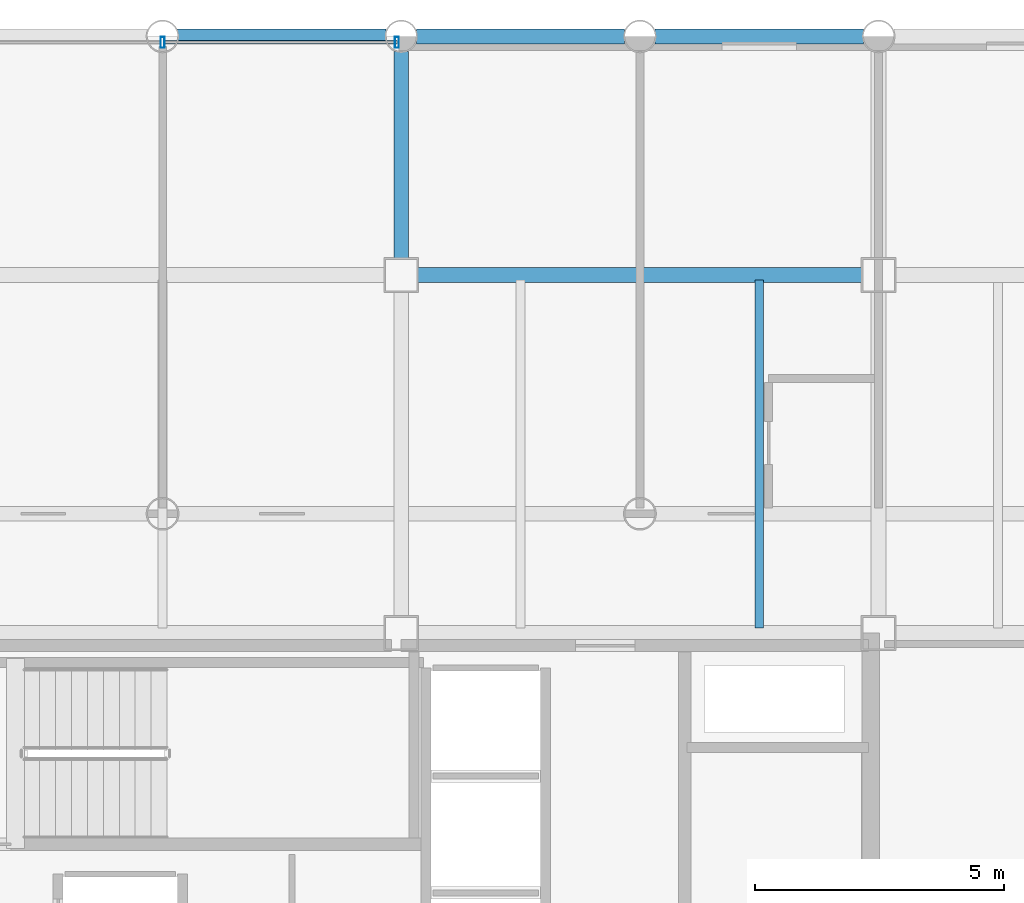
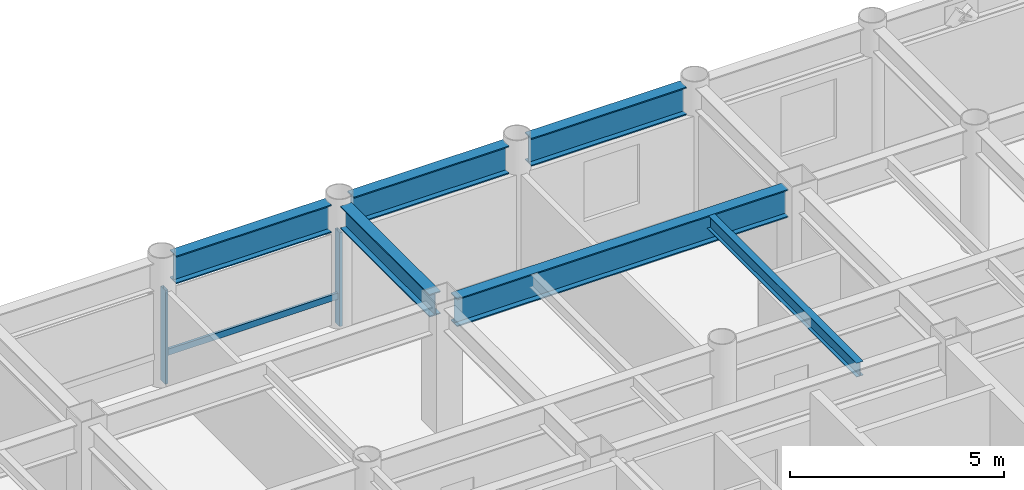
# One storey, part 12 of 20: 6 beams, 3 members, 1 element without a shape of its own.
"""IFC4 building model written with IfcOpenShell, lengths in metres."""

from ifc_helpers import new_model, si_unit, direction, frame, origin, origin_2d, place, context, subcontext, project, spatial, hollow_rectangle, i_section, extrude, material, layer, layer_set, material_profile, profile_set, type_object, element, aggregate, save


model = new_model("IFC4")

# Units and contexts
model_context = context("Model", 3, precision=1e-05, world=origin(), true_north=direction((0.0, 1.0)))
body_context = subcontext(model_context, "Body", "Model", "MODEL_VIEW")
ifc_project = project(units=[si_unit("LENGTHUNIT", "METRE"), si_unit("AREAUNIT", "SQUARE_METRE"), si_unit("VOLUMEUNIT", "CUBIC_METRE"), si_unit("PLANEANGLEUNIT", "RADIAN"), si_unit("MASSUNIT", "GRAM", prefix="KILO")], contexts=[model_context])

# Site, building, storey
site_placement = place(None, origin())
site = spatial("IfcSite", under=ifc_project, at=site_placement, CompositionType="ELEMENT")
building_placement = place(site_placement, origin())
building = spatial("IfcBuilding", under=site, at=building_placement, Name="Kallvorn Hotel Tower", CompositionType="ELEMENT")
storey_placement = place(building_placement, frame((0.0, 0.0, 172.89990234375)))
storey = spatial("IfcBuildingStorey", under=building, at=storey_placement, Name="L43", CompositionType="ELEMENT", Elevation=172.89990234375)

# Beams
ifc_material_1 = material(Name="Structural steel S355JR", Category="steel")
ifc_material_profile_1 = material_profile(ifc_material_1, i_section(OverallWidth=0.300048828125, OverallDepth=0.64990234375, WebThickness=0.01611328125, FlangeThickness=0.031005859375, at=origin_2d()), Name="HE 650 B")
ifc_profile_set_1 = profile_set([ifc_material_profile_1], Name="Structural steel S355JR")
beam_type_1 = type_object("IfcBeamType", Name="BM_HE650B", PredefinedType="BEAM", material=ifc_profile_set_1)
beam_1_placement = place(storey_placement, frame((4.800048828125, 14.72509765625, 3.195068359375), z_axis=(0.0, 1.0, 0.0), x_axis=(-1.0, 0.0, 0.0)))
element("IfcBeam", 1, at=beam_1_placement, inside=storey, type_object=beam_type_1, Name="L44 Primary Y-Girder 118", PredefinedType="BEAM", context=body_context, shape_type="SweptSolid", body=[
    extrude(i_section(OverallWidth=0.300048828125, OverallDepth=0.64990234375, WebThickness=0.01611328125, FlangeThickness=0.031005859375, at=origin_2d()), origin(), (0.0, 0.0, 1.0), 4.169921875),
])
ifc_material_2 = material(Name="Structural steel S355JR", Category="steel")
ifc_material_profile_2 = material_profile(ifc_material_2, i_section(OverallWidth=0.300048828125, OverallDepth=0.800048828125, WebThickness=0.017578125, FlangeThickness=0.032958984375, at=origin_2d()), Name="HE 800 B")
ifc_profile_set_2 = profile_set([ifc_material_profile_2], Name="Structural steel S355JR")
beam_type_2 = type_object("IfcBeamType", Name="BM_HE800B", PredefinedType="BEAM", material=ifc_profile_set_2)
beam_2_placement = place(storey_placement, frame((5.125, 14.39990234375, 3.1201171875), z_axis=(1.0, 0.0, 0.0), x_axis=(0.0, 1.0, 0.0)))
element("IfcBeam", 2, at=beam_2_placement, inside=storey, type_object=beam_type_2, Name="L44 Primary X-Girder 57", PredefinedType="BEAM", context=body_context, shape_type="SweptSolid", body=[
    extrude(i_section(OverallWidth=0.300048828125, OverallDepth=0.800048828125, WebThickness=0.017578125, FlangeThickness=0.032958984375, at=origin_2d()), origin(), (0.0, 0.0, 1.0), 8.949951171875),
])
beam_3_placement = place(storey_placement, frame((0.304931640625, 19.199951171875, 3.1201171875), z_axis=(1.0, 0.0, 0.0), x_axis=(0.0, 1.0, 0.0)))
element("IfcBeam", 3, at=beam_3_placement, inside=storey, type_object=beam_type_2, Name="L44 Primary X-Girder 67", PredefinedType="BEAM", context=body_context, shape_type="SweptSolid", body=[
    extrude(i_section(OverallWidth=0.300048828125, OverallDepth=0.800048828125, WebThickness=0.017578125, FlangeThickness=0.032958984375, at=origin_2d()), origin(), (0.0, 0.0, 1.0), 4.190185546875),
])
for number, where, z_axis, x_axis, name in (
    (4, (5.10498046875, 19.199951171875, 3.1201171875), (1.0, 0.0, 0.0), (0.0, 1.0, 0.0), "L44 Primary X-Girder 68"),
    (5, (9.905029296875, 19.199951171875, 3.1201171875), (1.0, 0.0, 0.0), (0.0, 1.0, 0.0), "L44 Primary X-Girder 69"),
):
    element("IfcBeam", number, at=place(storey_placement, frame(where, z_axis=z_axis, x_axis=x_axis)), inside=storey, type_object=beam_type_2, Name=name, PredefinedType="BEAM", context=body_context, shape_type="SweptSolid", body=[
        extrude(i_section(OverallWidth=0.300048828125, OverallDepth=0.800048828125, WebThickness=0.017578125, FlangeThickness=0.032958984375, at=origin_2d()), origin(), (0.0, 0.0, 1.0), 4.18994140625),
    ])
ifc_material_3 = material(Name="Structural steel S355JR", Category="steel")
ifc_material_profile_3 = material_profile(ifc_material_3, i_section(OverallWidth=0.179931640625, OverallDepth=0.39990234375, WebThickness=0.008544921875, FlangeThickness=0.013427734375, at=origin_2d()), Name="IPE 400")
ifc_profile_set_3 = profile_set([ifc_material_profile_3], Name="Structural steel S355JR")
beam_type_3 = type_object("IfcBeamType", Name="BM_IPE400", PredefinedType="JOIST", material=ifc_profile_set_3)
beam_4_placement = place(storey_placement, frame((12.0, 7.300048828125, 3.320068359375), z_axis=(0.0, 1.0, 0.0), x_axis=(-1.0, 0.0, 0.0)))
element("IfcBeam", 6, at=beam_4_placement, inside=storey, type_object=beam_type_3, Name="L44 Secondary Composite Joist 205", PredefinedType="JOIST", context=body_context, shape_type="SweptSolid", body=[
    extrude(i_section(OverallWidth=0.179931640625, OverallDepth=0.39990234375, WebThickness=0.008544921875, FlangeThickness=0.013427734375, at=origin_2d()), origin(), (0.0, 0.0, 1.0), 7.0),
])

# Curtain wall, members
ifc_material_4 = material(Name="Thermally broken black-anodised aluminium AA 6063-T6", Category="aluminium")
ifc_layer = layer(ifc_material_4, 0.2099609375)
ifc_layer_set = layer_set([ifc_layer], Name="CW_SYS_4_HOTEL_MID")
curtain_wall_type = type_object("IfcCurtainWallType", Name="CW_SYS_4_HOTEL_MID", PredefinedType="USERDEFINED", material=ifc_layer_set)
curtain_wall_placement = place(storey_placement, origin())
curtain_wall = element("IfcCurtainWall", 7, at=curtain_wall_placement, inside=storey, type_object=curtain_wall_type, Name="L43 Dark-Glass Curtain Wall CW-L43-NC", ObjectType="UNITISED CURTAIN WALL", PredefinedType="USERDEFINED")
ifc_material_5 = material(Name="Thermally broken black-anodised aluminium AA 6063-T6", Category="aluminium")
ifc_material_profile_4 = material_profile(ifc_material_5, hollow_rectangle(XDim=0.080078125, YDim=0.219970703125, WallThickness=0.0048828125, at=origin_2d()), Name="MUL 220x80")
ifc_profile_set_4 = profile_set([ifc_material_profile_4], Name="Thermally broken black-anodised aluminium AA 6063-T6")
member_type_1 = type_object("IfcMemberType", Name="CW_MULLION_220x80", PredefinedType="MULLION", material=ifc_profile_set_4)
member_1_placement = place(storey_placement, frame((0.0, 19.080078125, 0.02001953125), z_axis=(0.0, 0.0, 1.0), x_axis=(1.0, 0.0, 0.0)))
member_1 = element("IfcMember", 8, at=member_1_placement, type_object=member_type_1, Name="CW-L43-NC Mullion 01", PredefinedType="MULLION", context=body_context, shape_type="SweptSolid", body=[
    extrude(hollow_rectangle(XDim=0.080078125, YDim=0.219970703125, WallThickness=0.0048828125, at=origin_2d()), origin(), (0.0, 0.0, 1.0), 2.68017578125),
])
member_2_placement = place(storey_placement, frame((4.7099609375, 19.080078125, 0.02001953125), z_axis=(0.0, 0.0, 1.0), x_axis=(1.0, 0.0, 0.0)))
member_2 = element("IfcMember", 9, at=member_2_placement, type_object=member_type_1, Name="CW-L43-NC Mullion 02", PredefinedType="MULLION", context=body_context, shape_type="SweptSolid", body=[
    extrude(hollow_rectangle(XDim=0.080078125, YDim=0.219970703125, WallThickness=0.0048828125, at=origin_2d()), origin(), (0.0, 0.0, 1.0), 2.68017578125),
])
ifc_material_6 = material(Name="Thermally broken black-anodised aluminium AA 6063-T6", Category="aluminium")
ifc_material_profile_5 = material_profile(ifc_material_6, hollow_rectangle(XDim=0.070068359375, YDim=0.179931640625, WallThickness=0.00390625, at=origin_2d()), Name="TRN 180x70")
ifc_profile_set_5 = profile_set([ifc_material_profile_5], Name="Thermally broken black-anodised aluminium AA 6063-T6")
member_type_2 = type_object("IfcMemberType", Name="CW_TRANSOM_180x70", PredefinedType="USERDEFINED", material=ifc_profile_set_5)
member_3_placement = place(storey_placement, frame((0.0400390625, 19.080078125, 0.85009765625), z_axis=(1.0, 0.0, 0.0), x_axis=(0.0, 1.0, 0.0)))
member_3 = element("IfcMember", 10, at=member_3_placement, type_object=member_type_2, Name="CW-L43-NC Transom 01M", ObjectType="TRANSOM", PredefinedType="USERDEFINED", context=body_context, shape_type="SweptSolid", body=[
    extrude(hollow_rectangle(XDim=0.070068359375, YDim=0.179931640625, WallThickness=0.00390625, at=origin_2d()), origin(), (0.0, 0.0, 1.0), 4.669921875),
])
aggregate(curtain_wall, [member_1, member_2, member_3])

save(model, "model.ifc")
